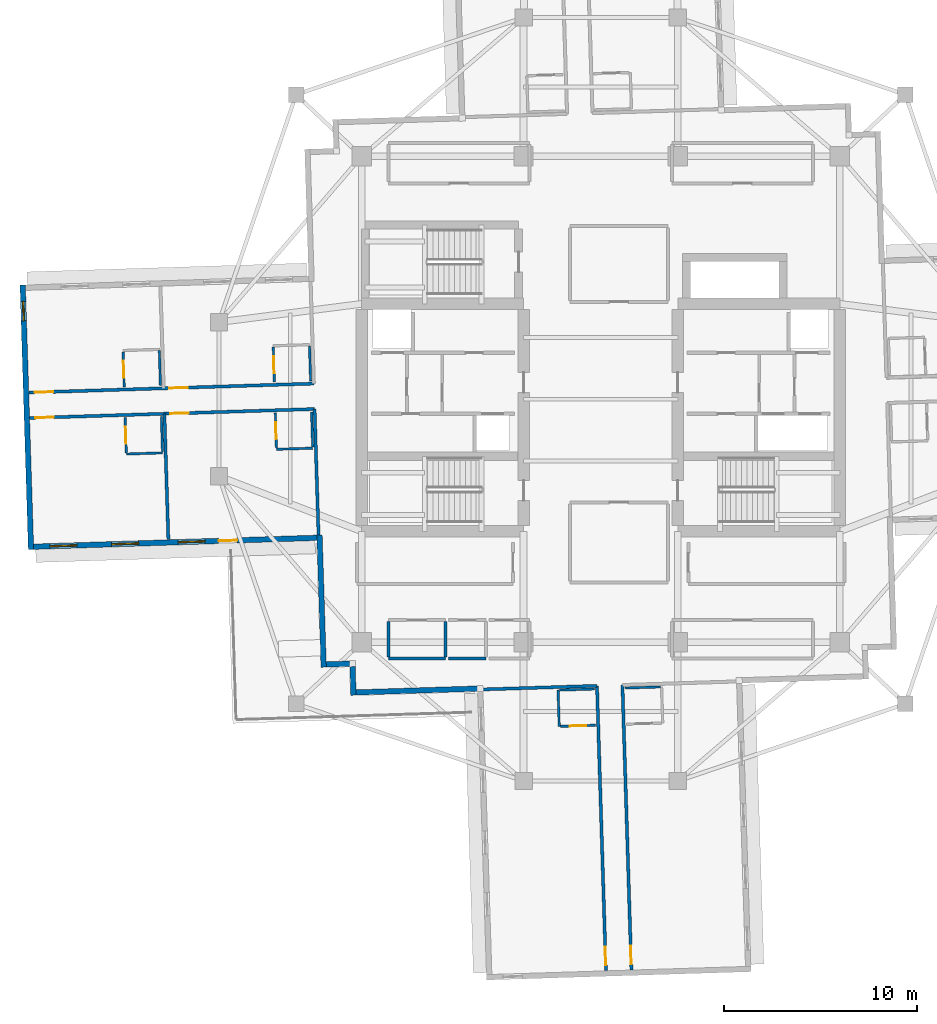
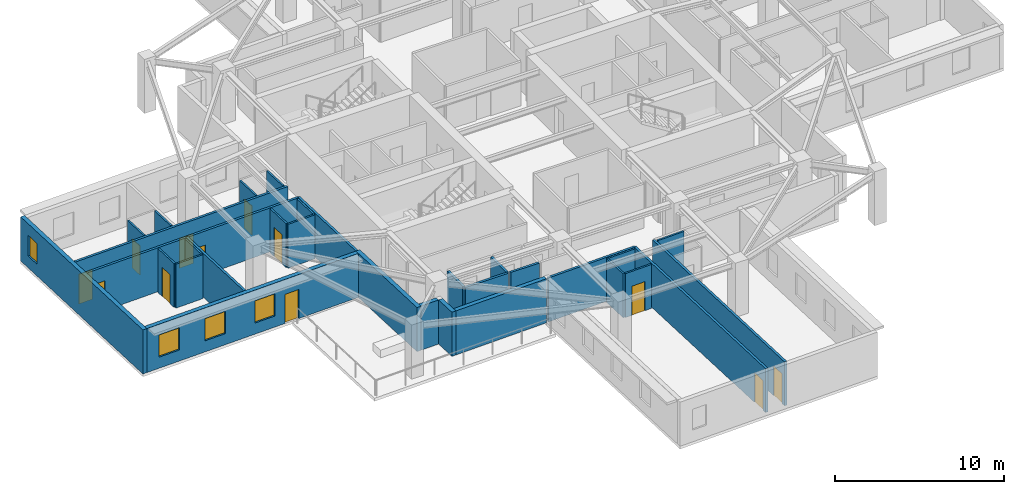
# One storey, part 3 of 12: 31 walls, 12 doors, 4 windows, 16 openings.
"""IFC4 building model written with IfcOpenShell, lengths in metres."""

from ifc_helpers import new_model, si_unit, direction, frame, frame_2d, origin, place, context, subcontext, project, spatial, rectangle, extrude, material, layer, layer_set, type_object, element, fill, save


model = new_model("IFC4")

# Units and contexts
model_context = context("Model", 3, precision=1e-05, world=origin(), true_north=direction((0.0, 1.0)))
body_context = subcontext(model_context, "Body", "Model", "MODEL_VIEW")
ifc_project = project(units=[si_unit("LENGTHUNIT", "METRE"), si_unit("AREAUNIT", "SQUARE_METRE"), si_unit("VOLUMEUNIT", "CUBIC_METRE"), si_unit("PLANEANGLEUNIT", "RADIAN"), si_unit("MASSUNIT", "GRAM", prefix="KILO")], contexts=[model_context])

# Site, building, storey
site_placement = place(None, origin())
site = spatial("IfcSite", under=ifc_project, at=site_placement, CompositionType="ELEMENT")
building_placement = place(site_placement, origin())
building = spatial("IfcBuilding", under=site, at=building_placement, Name="Qingluan Cross Belvedere", CompositionType="ELEMENT")
storey_placement = place(building_placement, frame((0.0, 0.0, 216.89990234375)))
storey = spatial("IfcBuildingStorey", under=building, at=storey_placement, Name="L54", CompositionType="ELEMENT", Elevation=216.89990234375)

# Walls
ifc_material_1 = material(Name="Gypsum plasterboard on steel stud acoustic partition", Category="steel")
ifc_layer_1 = layer(ifc_material_1, 0.159912109375, Name="CorridorPartition_160")
ifc_layer_set_1 = layer_set([ifc_layer_1], Name="Gypsum plasterboard on steel stud acoustic partition")
wall_type_1 = type_object("IfcWallType", Name="CorridorPartition_160", PredefinedType="PARTITIONING", material=ifc_layer_set_1)
wall_1_placement = place(storey_placement, frame((-11.0, -13.449951171875, 0.0), z_axis=(0.0, 0.0, 1.0), x_axis=(1.0, 0.0, 0.0)))
element("IfcWall", 1, at=wall_1_placement, inside=storey, type_object=wall_type_1, Name="Partition L54:q_sw_occ:S", PredefinedType="PARTITIONING", context=body_context, shape_type="SweptSolid", body=[
    extrude(rectangle(XDim=2.949951171875, YDim=0.159912109375, at=frame_2d((1.47509765625, 0.0))), origin(), (0.0, 0.0, 1.0), 3.170166015625),
])
for number, where, z_axis, x_axis, name in (
    (2, (-11.0, -13.364990234375, 0.0), (0.0, 0.0, 1.0), (0.0, 1.0, 0.0), "Partition L54:q_sw_occ:W"),
    (3, (-8.050048828125, -13.364990234375, 0.0), (0.0, 0.0, 1.0), (0.0, 1.0, 0.0), "Partition L54:q_sw_occ:E"),
):
    element("IfcWall", number, at=place(storey_placement, frame(where, z_axis=z_axis, x_axis=x_axis)), inside=storey, type_object=wall_type_1, Name=name, PredefinedType="PARTITIONING", context=body_context, shape_type="SweptSolid", body=[
        extrude(rectangle(XDim=1.830078125, YDim=0.159912109375, at=frame_2d((0.9150390625, 0.0))), origin(), (0.0, 0.0, 1.0), 3.170166015625),
    ])
wall_2_placement = place(storey_placement, frame((-7.889892578125, -13.449951171875, 0.0), z_axis=(0.0, 0.0, 1.0), x_axis=(1.0, 0.0, 0.0)))
element("IfcWall", 4, at=wall_2_placement, inside=storey, type_object=wall_type_1, Name="Partition L54:hk_linen:S", PredefinedType="PARTITIONING", context=body_context, shape_type="SweptSolid", body=[
    extrude(rectangle(XDim=1.93994140625, YDim=0.159912109375, at=frame_2d((0.969970703125, 0.0))), origin(), (0.0, 0.0, 1.0), 3.170166015625),
])

# Wall, openings, doors
wall_3_placement = place(storey_placement, frame((-14.8828125, 0.81298828125, 0.0), z_axis=(0.0, 0.0, 1.0), x_axis=(-0.999506485057, -0.031413155335, 0.0)))
wall_3 = element("IfcWall", 5, at=wall_3_placement, inside=storey, type_object=wall_type_1, Name="Partition L54:W:c0", PredefinedType="PARTITIONING", context=body_context, shape_type="SweptSolid", body=[
    extrude(rectangle(XDim=14.7822265625, YDim=0.159912109375, at=frame_2d((7.39111328125, 0.0))), origin(), (0.0, 0.0, 1.0), 3.170166015625),
])
opening_1_placement = place(wall_3_placement, frame((6.532958984375, 0.0, 0.0)))
opening_1 = element("IfcOpeningElement", 6, at=opening_1_placement, cuts=wall_3, Name="Opening GD-10", PredefinedType="OPENING", context=body_context, shape_type="SweptSolid", body=[
    extrude(rectangle(XDim=0.9599609375, YDim=2.14990234375, at=frame_2d((0.47998046875, 1.074951171875))), frame((0.0, 0.08984375, 0.0), z_axis=(0.0, -1.0, 0.0), x_axis=(1.0, 0.0, 0.0)), (0.0, 0.0, 1.0), 0.179931640625),
])
opening_2_placement = place(wall_3_placement, frame((13.530029296875, 0.0, 0.0)))
opening_2 = element("IfcOpeningElement", 7, at=opening_2_placement, cuts=wall_3, Name="Opening GD-10", PredefinedType="OPENING", context=body_context, shape_type="SweptSolid", body=[
    extrude(rectangle(XDim=0.9599609375, YDim=2.14990234375, at=frame_2d((0.47998046875, 1.074951171875))), frame((0.0, 0.08984375, 0.0), z_axis=(0.0, -1.0, 0.0), x_axis=(1.0, 0.0, 0.0)), (0.0, 0.0, 1.0), 0.179931640625),
])
ifc_material_2 = material(Name="Timber oak fire-rated acoustic guestroom door", Category="wood")
door_type_1 = type_object("IfcDoorType", Name="GuestEntryDoor_FD60", OperationType="NOTDEFINED", PredefinedType="DOOR", material=ifc_material_2)
door_1_placement = place(opening_1_placement, origin())
door_1 = element("IfcDoor", 8, at=door_1_placement, inside=storey, type_object=door_type_1, Name="Guest entry fire door 5405", OperationType="SINGLE_SWING_RIGHT", OverallHeight=2.14990234375, OverallWidth=0.9599609375, PredefinedType="DOOR", context=body_context, shape_type="SweptSolid", body=[
    extrude(rectangle(XDim=0.9599609375, YDim=2.14990234375, at=frame_2d((0.47998046875, 1.074951171875))), frame((0.0, 0.02490234375, 0.0), z_axis=(0.0, -1.0, 0.0), x_axis=(1.0, 0.0, 0.0)), (0.0, 0.0, 1.0), 0.050048828125),
])
fill(opening_1, door_1)
door_2_placement = place(opening_2_placement, origin())
door_2 = element("IfcDoor", 9, at=door_2_placement, inside=storey, type_object=door_type_1, Name="Guest entry fire door 5406", OperationType="SINGLE_SWING_RIGHT", OverallHeight=2.14990234375, OverallWidth=0.9599609375, PredefinedType="DOOR", context=body_context, shape_type="SweptSolid", body=[
    extrude(rectangle(XDim=0.9599609375, YDim=2.14990234375, at=frame_2d((0.47998046875, 1.074951171875))), frame((0.0, 0.02490234375, 0.0), z_axis=(0.0, -1.0, 0.0), x_axis=(1.0, 0.0, 0.0)), (0.0, 0.0, 1.0), 0.050048828125),
])
fill(opening_2, door_2)

wall_4_placement = place(storey_placement, frame((-14.84130859375, -0.50634765625, 0.0), z_axis=(0.0, 0.0, 1.0), x_axis=(-0.999506485057, -0.031413155335, 0.0)))
wall_4 = element("IfcWall", 10, at=wall_4_placement, inside=storey, type_object=wall_type_1, Name="Partition L54:W:c1", PredefinedType="PARTITIONING", context=body_context, shape_type="SweptSolid", body=[
    extrude(rectangle(XDim=14.7822265625, YDim=0.159912109375, at=frame_2d((7.39111328125, 0.0))), origin(), (0.0, 0.0, 1.0), 3.170166015625),
])
opening_3_placement = place(wall_4_placement, frame((6.532958984375, 0.0, 0.0)))
opening_3 = element("IfcOpeningElement", 11, at=opening_3_placement, cuts=wall_4, Name="Opening GD-10", PredefinedType="OPENING", context=body_context, shape_type="SweptSolid", body=[
    extrude(rectangle(XDim=0.9599609375, YDim=2.14990234375, at=frame_2d((0.47998046875, 1.074951171875))), frame((0.0, 0.08984375, 0.0), z_axis=(0.0, -1.0, 0.0), x_axis=(1.0, 0.0, 0.0)), (0.0, 0.0, 1.0), 0.179931640625),
])
opening_4_placement = place(wall_4_placement, frame((13.530029296875, 0.0, 0.0)))
opening_4 = element("IfcOpeningElement", 12, at=opening_4_placement, cuts=wall_4, Name="Opening GD-10", PredefinedType="OPENING", context=body_context, shape_type="SweptSolid", body=[
    extrude(rectangle(XDim=0.9599609375, YDim=2.14990234375, at=frame_2d((0.47998046875, 1.074951171875))), frame((0.0, 0.08984375, 0.0), z_axis=(0.0, -1.0, 0.0), x_axis=(1.0, 0.0, 0.0)), (0.0, 0.0, 1.0), 0.179931640625),
])
door_3_placement = place(opening_3_placement, origin())
door_3 = element("IfcDoor", 13, at=door_3_placement, inside=storey, type_object=door_type_1, Name="Guest entry fire door 5407", OperationType="SINGLE_SWING_RIGHT", OverallHeight=2.14990234375, OverallWidth=0.9599609375, PredefinedType="DOOR", context=body_context, shape_type="SweptSolid", body=[
    extrude(rectangle(XDim=0.9599609375, YDim=2.14990234375, at=frame_2d((0.47998046875, 1.074951171875))), frame((0.0, 0.02490234375, 0.0), z_axis=(0.0, -1.0, 0.0), x_axis=(1.0, 0.0, 0.0)), (0.0, 0.0, 1.0), 0.050048828125),
])
fill(opening_3, door_3)
door_4_placement = place(opening_4_placement, origin())
door_4 = element("IfcDoor", 14, at=door_4_placement, inside=storey, type_object=door_type_1, Name="Guest entry fire door 5408", OperationType="SINGLE_SWING_RIGHT", OverallHeight=2.14990234375, OverallWidth=0.9599609375, PredefinedType="DOOR", context=body_context, shape_type="SweptSolid", body=[
    extrude(rectangle(XDim=0.9599609375, YDim=2.14990234375, at=frame_2d((0.47998046875, 1.074951171875))), frame((0.0, 0.02490234375, 0.0), z_axis=(0.0, -1.0, 0.0), x_axis=(1.0, 0.0, 0.0)), (0.0, 0.0, 1.0), 0.050048828125),
])
fill(opening_4, door_4)

# Walls
for number, where, z_axis, x_axis, name in (
    (15, (-14.84130859375, -0.50634765625, 0.0), (0.0, 0.0, 1.0), (0.031395778404, -0.99950703104, 0.0), "Partition L54:W:s1"),
    (16, (-22.630615234375, -0.751220703125, 0.0), (0.0, 0.0, 1.0), (0.031433117423, -0.999505857476, 0.0), "Partition L54:W:d1_0"),
):
    element("IfcWall", number, at=place(storey_placement, frame(where, z_axis=z_axis, x_axis=x_axis)), inside=storey, type_object=wall_type_1, Name=name, PredefinedType="PARTITIONING", context=body_context, shape_type="SweptSolid", body=[
        extrude(rectangle(XDim=6.531982421875, YDim=0.159912109375, at=frame_2d((3.26611328125, 0.0))), origin(), (0.0, 0.0, 1.0), 3.170166015625),
    ])

# Wall, opening, door
wall_5_placement = place(storey_placement, frame((1.126220703125, -14.822021484375, 0.0), z_axis=(0.0, 0.0, 1.0), x_axis=(0.031397174061, -0.9995069872, 0.0)))
wall_5 = element("IfcWall", 17, at=wall_5_placement, inside=storey, type_object=wall_type_1, Name="Partition L54:S:c0", PredefinedType="PARTITIONING", context=body_context, shape_type="SweptSolid", body=[
    extrude(rectangle(XDim=14.781982421875, YDim=0.159912109375, at=frame_2d((7.39111328125, 0.0))), origin(), (0.0, 0.0, 1.0), 3.170166015625),
])
opening_5_placement = place(wall_5_placement, frame((13.530029296875, 0.0, 0.0)))
opening_5 = element("IfcOpeningElement", 18, at=opening_5_placement, cuts=wall_5, Name="Opening GD-10", PredefinedType="OPENING", context=body_context, shape_type="SweptSolid", body=[
    extrude(rectangle(XDim=0.9599609375, YDim=2.14990234375, at=frame_2d((0.47998046875, 1.074951171875))), frame((0.0, 0.08984375, 0.0), z_axis=(0.0, -1.0, 0.0), x_axis=(1.0, 0.0, 0.0)), (0.0, 0.0, 1.0), 0.179931640625),
])
door_5_placement = place(opening_5_placement, origin())
door_5 = element("IfcDoor", 19, at=door_5_placement, inside=storey, type_object=door_type_1, Name="Guest entry fire door 5413", OperationType="SINGLE_SWING_RIGHT", OverallHeight=2.14990234375, OverallWidth=0.9599609375, PredefinedType="DOOR", context=body_context, shape_type="SweptSolid", body=[
    extrude(rectangle(XDim=0.9599609375, YDim=2.14990234375, at=frame_2d((0.47998046875, 1.074951171875))), frame((0.0, 0.02490234375, 0.0), z_axis=(0.0, -1.0, 0.0), x_axis=(1.0, 0.0, 0.0)), (0.0, 0.0, 1.0), 0.050048828125),
])
fill(opening_5, door_5)

wall_6_placement = place(storey_placement, frame((-0.193115234375, -14.86328125, 0.0), z_axis=(0.0, 0.0, 1.0), x_axis=(0.031396655766, -0.999507003481, 0.0)))
wall_6 = element("IfcWall", 20, at=wall_6_placement, inside=storey, type_object=wall_type_1, Name="Partition L54:S:c1", PredefinedType="PARTITIONING", context=body_context, shape_type="SweptSolid", body=[
    extrude(rectangle(XDim=14.7822265625, YDim=0.159912109375, at=frame_2d((7.39111328125, 0.0))), origin(), (0.0, 0.0, 1.0), 3.170166015625),
])
opening_6_placement = place(wall_6_placement, frame((13.530029296875, 0.0, 0.0)))
opening_6 = element("IfcOpeningElement", 21, at=opening_6_placement, cuts=wall_6, Name="Opening GD-10", PredefinedType="OPENING", context=body_context, shape_type="SweptSolid", body=[
    extrude(rectangle(XDim=0.9599609375, YDim=2.14990234375, at=frame_2d((0.47998046875, 1.074951171875))), frame((0.0, 0.08984375, 0.0), z_axis=(0.0, -1.0, 0.0), x_axis=(1.0, 0.0, 0.0)), (0.0, 0.0, 1.0), 0.179931640625),
])
door_6_placement = place(opening_6_placement, origin())
door_6 = element("IfcDoor", 22, at=door_6_placement, inside=storey, type_object=door_type_1, Name="Guest entry fire door 5414", OperationType="SINGLE_SWING_RIGHT", OverallHeight=2.14990234375, OverallWidth=0.9599609375, PredefinedType="DOOR", context=body_context, shape_type="SweptSolid", body=[
    extrude(rectangle(XDim=0.9599609375, YDim=2.14990234375, at=frame_2d((0.47998046875, 1.074951171875))), frame((0.0, 0.02490234375, 0.0), z_axis=(0.0, -1.0, 0.0), x_axis=(1.0, 0.0, 0.0)), (0.0, 0.0, 1.0), 0.050048828125),
])
fill(opening_6, door_6)

# Wall
wall_7_placement = place(storey_placement, frame((-0.193115234375, -14.86328125, 0.0), z_axis=(0.0, 0.0, 1.0), x_axis=(-0.999506162708, -0.031423410194, 0.0)))
element("IfcWall", 23, at=wall_7_placement, inside=storey, type_object=wall_type_1, Name="Partition L54:S:s1", PredefinedType="PARTITIONING", context=body_context, shape_type="SweptSolid", body=[
    extrude(rectangle(XDim=6.06005859375, YDim=0.159912109375, at=frame_2d((3.030029296875, 0.0))), origin(), (0.0, 0.0, 1.0), 3.170166015625),
])

# Wall, opening, door
ifc_material_3 = material(Name="Moisture-resistant gypsum board lining")
ifc_layer_2 = layer(ifc_material_3, 0.1201171875, Name="EnsuiteWetPartition_120")
ifc_layer_set_2 = layer_set([ifc_layer_2], Name="Moisture-resistant gypsum board lining")
wall_type_2 = type_object("IfcWallType", Name="EnsuiteWetPartition_120", PredefinedType="PARTITIONING", material=ifc_layer_set_2)
wall_8_placement = place(storey_placement, frame((-16.92626953125, 0.888916015625, 0.0), z_axis=(0.0, 0.0, 1.0), x_axis=(-0.031389704724, 0.999507221803, 0.0)))
wall_8 = element("IfcWall", 24, at=wall_8_placement, inside=storey, type_object=wall_type_2, Name="Partition L54:W:bs0_0", PredefinedType="PARTITIONING", context=body_context, shape_type="SweptSolid", body=[
    extrude(rectangle(XDim=1.820068359375, YDim=0.1201171875, at=frame_2d((0.91015625, 0.0))), origin(), (0.0, 0.0, 1.0), 3.170166015625),
])
opening_7_placement = place(wall_8_placement, frame((0.469970703125, 0.0, 0.0)))
opening_7 = element("IfcOpeningElement", 25, at=opening_7_placement, cuts=wall_8, Name="Opening BD-09", PredefinedType="OPENING", context=body_context, shape_type="SweptSolid", body=[
    extrude(rectangle(XDim=0.8798828125, YDim=2.10009765625, at=frame_2d((0.43994140625, 1.050048828125))), frame((0.0, 0.070068359375, 0.0), z_axis=(0.0, -1.0, 0.0), x_axis=(1.0, 0.0, 0.0)), (0.0, 0.0, 1.0), 0.14013671875),
])
ifc_material_4 = material(Name="Moisture-sealed timber en-suite door", Category="wood")
door_type_2 = type_object("IfcDoorType", Name="BathroomDoor_880", OperationType="NOTDEFINED", PredefinedType="DOOR", material=ifc_material_4)
door_7_placement = place(opening_7_placement, origin())
door_7 = element("IfcDoor", 26, at=door_7_placement, inside=storey, type_object=door_type_2, Name="Bathroom door 5405", OperationType="SINGLE_SWING_LEFT", OverallHeight=2.10009765625, OverallWidth=0.8798828125, PredefinedType="DOOR", context=body_context, shape_type="SweptSolid", body=[
    extrude(rectangle(XDim=0.8798828125, YDim=2.10009765625, at=frame_2d((0.43994140625, 1.050048828125))), frame((0.0, 0.02490234375, 0.0), z_axis=(0.0, -1.0, 0.0), x_axis=(1.0, 0.0, 0.0)), (0.0, 0.0, 1.0), 0.050048828125),
])
fill(opening_7, door_7)

# Wall
wall_9_placement = place(storey_placement, frame((-15.047119140625, 0.94775390625, 0.0), z_axis=(0.0, 0.0, 1.0), x_axis=(-0.03152371574, 0.999503004171, 0.0)))
element("IfcWall", 27, at=wall_9_placement, inside=storey, type_object=wall_type_2, Name="Partition L54:W:bw0_0", PredefinedType="PARTITIONING", context=body_context, shape_type="SweptSolid", body=[
    extrude(rectangle(XDim=1.820068359375, YDim=0.1201171875, at=frame_2d((0.91015625, 0.0))), origin(), (0.0, 0.0, 1.0), 3.170166015625),
])

# Wall, opening, door
wall_10_placement = place(storey_placement, frame((-24.71533203125, 0.64404296875, 0.0), z_axis=(0.0, 0.0, 1.0), x_axis=(-0.03152371574, 0.999503004171, 0.0)))
wall_10 = element("IfcWall", 28, at=wall_10_placement, inside=storey, type_object=wall_type_2, Name="Partition L54:W:bs0_1", PredefinedType="PARTITIONING", context=body_context, shape_type="SweptSolid", body=[
    extrude(rectangle(XDim=1.820068359375, YDim=0.1201171875, at=frame_2d((0.91015625, 0.0))), origin(), (0.0, 0.0, 1.0), 3.170166015625),
])
opening_8_placement = place(wall_10_placement, frame((0.469970703125, 0.0, 0.0)))
opening_8 = element("IfcOpeningElement", 29, at=opening_8_placement, cuts=wall_10, Name="Opening BD-09", PredefinedType="OPENING", context=body_context, shape_type="SweptSolid", body=[
    extrude(rectangle(XDim=0.8798828125, YDim=2.10009765625, at=frame_2d((0.43994140625, 1.050048828125))), frame((0.0, 0.070068359375, 0.0), z_axis=(0.0, -1.0, 0.0), x_axis=(1.0, 0.0, 0.0)), (0.0, 0.0, 1.0), 0.14013671875),
])
door_8_placement = place(opening_8_placement, origin())
door_8 = element("IfcDoor", 30, at=door_8_placement, inside=storey, type_object=door_type_2, Name="Bathroom door 5406", OperationType="SINGLE_SWING_LEFT", OverallHeight=2.10009765625, OverallWidth=0.8798828125, PredefinedType="DOOR", context=body_context, shape_type="SweptSolid", body=[
    extrude(rectangle(XDim=0.8798828125, YDim=2.10009765625, at=frame_2d((0.43994140625, 1.050048828125))), frame((0.0, 0.02490234375, 0.0), z_axis=(0.0, -1.0, 0.0), x_axis=(1.0, 0.0, 0.0)), (0.0, 0.0, 1.0), 0.050048828125),
])
fill(opening_8, door_8)

# Wall
wall_11_placement = place(storey_placement, frame((-22.83642578125, 0.702880859375, 0.0), z_axis=(0.0, 0.0, 1.0), x_axis=(-0.031385496622, 0.999507353951, 0.0)))
element("IfcWall", 31, at=wall_11_placement, inside=storey, type_object=wall_type_2, Name="Partition L54:W:bw0_1", PredefinedType="PARTITIONING", context=body_context, shape_type="SweptSolid", body=[
    extrude(rectangle(XDim=1.8203125, YDim=0.1201171875, at=frame_2d((0.91015625, 0.0))), origin(), (0.0, 0.0, 1.0), 3.170166015625),
])

# Wall, opening, door
wall_12_placement = place(storey_placement, frame((-16.81884765625, -2.529541015625, 0.0), z_axis=(0.0, 0.0, 1.0), x_axis=(-0.031389704724, 0.999507221803, 0.0)))
wall_12 = element("IfcWall", 32, at=wall_12_placement, inside=storey, type_object=wall_type_2, Name="Partition L54:W:bs1_0", PredefinedType="PARTITIONING", context=body_context, shape_type="SweptSolid", body=[
    extrude(rectangle(XDim=1.820068359375, YDim=0.1201171875, at=frame_2d((0.91015625, 0.0))), origin(), (0.0, 0.0, 1.0), 3.170166015625),
])
opening_9_placement = place(wall_12_placement, frame((0.469970703125, 0.0, 0.0)))
opening_9 = element("IfcOpeningElement", 33, at=opening_9_placement, cuts=wall_12, Name="Opening BD-09", PredefinedType="OPENING", context=body_context, shape_type="SweptSolid", body=[
    extrude(rectangle(XDim=0.8798828125, YDim=2.10009765625, at=frame_2d((0.43994140625, 1.050048828125))), frame((0.0, 0.070068359375, 0.0), z_axis=(0.0, -1.0, 0.0), x_axis=(1.0, 0.0, 0.0)), (0.0, 0.0, 1.0), 0.14013671875),
])
door_9_placement = place(opening_9_placement, origin())
door_9 = element("IfcDoor", 34, at=door_9_placement, inside=storey, type_object=door_type_2, Name="Bathroom door 5407", OperationType="SINGLE_SWING_LEFT", OverallHeight=2.10009765625, OverallWidth=0.8798828125, PredefinedType="DOOR", context=body_context, shape_type="SweptSolid", body=[
    extrude(rectangle(XDim=0.8798828125, YDim=2.10009765625, at=frame_2d((0.43994140625, 1.050048828125))), frame((0.0, 0.02490234375, 0.0), z_axis=(0.0, -1.0, 0.0), x_axis=(1.0, 0.0, 0.0)), (0.0, 0.0, 1.0), 0.050048828125),
])
fill(opening_9, door_9)

# Walls
wall_13_placement = place(storey_placement, frame((-14.939697265625, -2.470458984375, 0.0), z_axis=(0.0, 0.0, 1.0), x_axis=(-0.031389704724, 0.999507221803, 0.0)))
element("IfcWall", 35, at=wall_13_placement, inside=storey, type_object=wall_type_2, Name="Partition L54:W:bw1_0", PredefinedType="PARTITIONING", context=body_context, shape_type="SweptSolid", body=[
    extrude(rectangle(XDim=1.820068359375, YDim=0.1201171875, at=frame_2d((0.91015625, 0.0))), origin(), (0.0, 0.0, 1.0), 3.170166015625),
])
wall_14_placement = place(storey_placement, frame((-14.937744140625, -2.535400390625, 0.0), z_axis=(0.0, 0.0, 1.0), x_axis=(-0.999506103526, -0.031425292588, 0.0)))
element("IfcWall", 36, at=wall_14_placement, inside=storey, type_object=wall_type_2, Name="Partition L54:W:bc1_0", PredefinedType="PARTITIONING", context=body_context, shape_type="SweptSolid", body=[
    extrude(rectangle(XDim=1.880126953125, YDim=0.1201171875, at=frame_2d((0.93994140625, 0.0))), origin(), (0.0, 0.0, 1.0), 3.170166015625),
])

# Wall, opening, door
wall_15_placement = place(storey_placement, frame((-24.60791015625, -2.7744140625, 0.0), z_axis=(0.0, 0.0, 1.0), x_axis=(-0.031519489708, 0.999503137448, 0.0)))
wall_15 = element("IfcWall", 37, at=wall_15_placement, inside=storey, type_object=wall_type_2, Name="Partition L54:W:bs1_1", PredefinedType="PARTITIONING", context=body_context, shape_type="SweptSolid", body=[
    extrude(rectangle(XDim=1.8203125, YDim=0.1201171875, at=frame_2d((0.91015625, 0.0))), origin(), (0.0, 0.0, 1.0), 3.170166015625),
])
opening_10_placement = place(wall_15_placement, frame((0.469970703125, 0.0, 0.0)))
opening_10 = element("IfcOpeningElement", 38, at=opening_10_placement, cuts=wall_15, Name="Opening BD-09", PredefinedType="OPENING", context=body_context, shape_type="SweptSolid", body=[
    extrude(rectangle(XDim=0.8798828125, YDim=2.10009765625, at=frame_2d((0.43994140625, 1.050048828125))), frame((0.0, 0.070068359375, 0.0), z_axis=(0.0, -1.0, 0.0), x_axis=(1.0, 0.0, 0.0)), (0.0, 0.0, 1.0), 0.14013671875),
])
door_10_placement = place(opening_10_placement, origin())
door_10 = element("IfcDoor", 39, at=door_10_placement, inside=storey, type_object=door_type_2, Name="Bathroom door 5408", OperationType="SINGLE_SWING_LEFT", OverallHeight=2.10009765625, OverallWidth=0.8798828125, PredefinedType="DOOR", context=body_context, shape_type="SweptSolid", body=[
    extrude(rectangle(XDim=0.8798828125, YDim=2.10009765625, at=frame_2d((0.43994140625, 1.050048828125))), frame((0.0, 0.02490234375, 0.0), z_axis=(0.0, -1.0, 0.0), x_axis=(1.0, 0.0, 0.0)), (0.0, 0.0, 1.0), 0.050048828125),
])
fill(opening_10, door_10)

# Walls
wall_16_placement = place(storey_placement, frame((-22.72900390625, -2.71533203125, 0.0), z_axis=(0.0, 0.0, 1.0), x_axis=(-0.031389704724, 0.999507221803, 0.0)))
element("IfcWall", 40, at=wall_16_placement, inside=storey, type_object=wall_type_2, Name="Partition L54:W:bw1_1", PredefinedType="PARTITIONING", context=body_context, shape_type="SweptSolid", body=[
    extrude(rectangle(XDim=1.820068359375, YDim=0.1201171875, at=frame_2d((0.91015625, 0.0))), origin(), (0.0, 0.0, 1.0), 3.170166015625),
])
wall_17_placement = place(storey_placement, frame((-22.726806640625, -2.7802734375, 0.0), z_axis=(0.0, 0.0, 1.0), x_axis=(-0.999506103526, -0.031425292588, 0.0)))
element("IfcWall", 41, at=wall_17_placement, inside=storey, type_object=wall_type_2, Name="Partition L54:W:bc1_1", PredefinedType="PARTITIONING", context=body_context, shape_type="SweptSolid", body=[
    extrude(rectangle(XDim=1.880126953125, YDim=0.1201171875, at=frame_2d((0.93994140625, 0.0))), origin(), (0.0, 0.0, 1.0), 3.170166015625),
])
wall_18_placement = place(storey_placement, frame((1.27099609375, -14.9775390625, 0.0), z_axis=(0.0, 0.0, 1.0), x_axis=(0.999507221803, 0.031389704724, 0.0)))
element("IfcWall", 42, at=wall_18_placement, inside=storey, type_object=wall_type_2, Name="Partition L54:S:bw0_0", PredefinedType="PARTITIONING", context=body_context, shape_type="SweptSolid", body=[
    extrude(rectangle(XDim=1.820068359375, YDim=0.1201171875, at=frame_2d((0.91015625, 0.0))), origin(), (0.0, 0.0, 1.0), 3.170166015625),
])

# Wall, opening, door
wall_19_placement = place(storey_placement, frame((-2.088134765625, -16.964111328125, 0.0), z_axis=(0.0, 0.0, 1.0), x_axis=(0.999503004171, 0.03152371574, 0.0)))
wall_19 = element("IfcWall", 43, at=wall_19_placement, inside=storey, type_object=wall_type_2, Name="Partition L54:S:bs1_0", PredefinedType="PARTITIONING", context=body_context, shape_type="SweptSolid", body=[
    extrude(rectangle(XDim=1.820068359375, YDim=0.1201171875, at=frame_2d((0.91015625, 0.0))), origin(), (0.0, 0.0, 1.0), 3.170166015625),
])
opening_11_placement = place(wall_19_placement, frame((0.469970703125, 0.0, 0.0)))
opening_11 = element("IfcOpeningElement", 44, at=opening_11_placement, cuts=wall_19, Name="Opening BD-09", PredefinedType="OPENING", context=body_context, shape_type="SweptSolid", body=[
    extrude(rectangle(XDim=0.8798828125, YDim=2.10009765625, at=frame_2d((0.43994140625, 1.050048828125))), frame((0.0, 0.070068359375, 0.0), z_axis=(0.0, -1.0, 0.0), x_axis=(1.0, 0.0, 0.0)), (0.0, 0.0, 1.0), 0.14013671875),
])
door_11_placement = place(opening_11_placement, origin())
door_11 = element("IfcDoor", 45, at=door_11_placement, inside=storey, type_object=door_type_2, Name="Bathroom door 5414", OperationType="SINGLE_SWING_LEFT", OverallHeight=2.10009765625, OverallWidth=0.8798828125, PredefinedType="DOOR", context=body_context, shape_type="SweptSolid", body=[
    extrude(rectangle(XDim=0.8798828125, YDim=2.10009765625, at=frame_2d((0.43994140625, 1.050048828125))), frame((0.0, 0.02490234375, 0.0), z_axis=(0.0, -1.0, 0.0), x_axis=(1.0, 0.0, 0.0)), (0.0, 0.0, 1.0), 0.050048828125),
])
fill(opening_11, door_11)

# Walls
wall_20_placement = place(storey_placement, frame((-2.147216796875, -15.0849609375, 0.0), z_axis=(0.0, 0.0, 1.0), x_axis=(0.999503004171, 0.03152371574, 0.0)))
element("IfcWall", 46, at=wall_20_placement, inside=storey, type_object=wall_type_2, Name="Partition L54:S:bw1_0", PredefinedType="PARTITIONING", context=body_context, shape_type="SweptSolid", body=[
    extrude(rectangle(XDim=1.820068359375, YDim=0.1201171875, at=frame_2d((0.91015625, 0.0))), origin(), (0.0, 0.0, 1.0), 3.170166015625),
])
wall_21_placement = place(storey_placement, frame((-2.212158203125, -15.0869140625, 0.0), z_axis=(0.0, 0.0, 1.0), x_axis=(0.031425292588, -0.999506103526, 0.0)))
element("IfcWall", 47, at=wall_21_placement, inside=storey, type_object=wall_type_2, Name="Partition L54:S:bc1_0", PredefinedType="PARTITIONING", context=body_context, shape_type="SweptSolid", body=[
    extrude(rectangle(XDim=1.880126953125, YDim=0.1201171875, at=frame_2d((0.93994140625, 0.0))), origin(), (0.0, 0.0, 1.0), 3.170166015625),
])

# Wall, openings, windows, door
ifc_material_5 = material(Name="Precast concrete C45", Category="concrete")
ifc_layer_3 = layer(ifc_material_5, 0.280029296875, Name="PrecastFacadeWall_280")
ifc_layer_set_3 = layer_set([ifc_layer_3], Name="Precast concrete C45")
wall_type_3 = type_object("IfcWallType", Name="PrecastFacadeWall_280", PredefinedType="STANDARD", material=ifc_layer_set_3)
wall_22_placement = place(storey_placement, frame((-29.414306640625, -7.647705078125, 0.0), z_axis=(0.0, 0.0, 1.0), x_axis=(0.999506714454, 0.031405855522, 0.0)))
wall_22 = element("IfcWall", 48, at=wall_22_placement, inside=storey, type_object=wall_type_3, Name="Facade wall L54-WB", PredefinedType="STANDARD", context=body_context, shape_type="SweptSolid", body=[
    extrude(rectangle(XDim=14.7001953125, YDim=0.280029296875, at=frame_2d((7.35009765625, 0.0))), origin(), (0.0, 0.0, 1.0), 3.18017578125),
])
opening_12_placement = place(wall_22_placement, frame((0.85009765625, 0.0, 0.800048828125)))
opening_12 = element("IfcOpeningElement", 49, at=opening_12_placement, cuts=wall_22, Name="Opening W-01", PredefinedType="OPENING", context=body_context, shape_type="SweptSolid", body=[
    extrude(rectangle(XDim=1.39990234375, YDim=1.60009765625, at=frame_2d((0.699951171875, 0.800048828125))), frame((0.0, 0.14990234375, 0.0), z_axis=(0.0, -1.0, 0.0), x_axis=(1.0, 0.0, 0.0)), (0.0, 0.0, 1.0), 0.300048828125),
])
opening_13_placement = place(wall_22_placement, frame((4.050048828125, 0.0, 0.800048828125)))
opening_13 = element("IfcOpeningElement", 50, at=opening_13_placement, cuts=wall_22, Name="Opening W-01", PredefinedType="OPENING", context=body_context, shape_type="SweptSolid", body=[
    extrude(rectangle(XDim=1.39990234375, YDim=1.60009765625, at=frame_2d((0.699951171875, 0.800048828125))), frame((0.0, 0.14990234375, 0.0), z_axis=(0.0, -1.0, 0.0), x_axis=(1.0, 0.0, 0.0)), (0.0, 0.0, 1.0), 0.300048828125),
])
opening_14_placement = place(wall_22_placement, frame((7.5, 0.0, 0.800048828125)))
opening_14 = element("IfcOpeningElement", 51, at=opening_14_placement, cuts=wall_22, Name="Opening W-01", PredefinedType="OPENING", context=body_context, shape_type="SweptSolid", body=[
    extrude(rectangle(XDim=1.39990234375, YDim=1.60009765625, at=frame_2d((0.699951171875, 0.800048828125))), frame((0.0, 0.14990234375, 0.0), z_axis=(0.0, -1.0, 0.0), x_axis=(1.0, 0.0, 0.0)), (0.0, 0.0, 1.0), 0.300048828125),
])
opening_15_placement = place(wall_22_placement, frame((9.60009765625, 0.0, 0.0)))
opening_15 = element("IfcOpeningElement", 52, at=opening_15_placement, cuts=wall_22, Name="Opening WD-10", PredefinedType="OPENING", context=body_context, shape_type="SweptSolid", body=[
    extrude(rectangle(XDim=0.9599609375, YDim=2.10009765625, at=frame_2d((0.47998046875, 1.050048828125))), frame((0.0, 0.14990234375, 0.0), z_axis=(0.0, -1.0, 0.0), x_axis=(1.0, 0.0, 0.0)), (0.0, 0.0, 1.0), 0.300048828125),
])
ifc_material_6 = material(Name="Thermally broken triple Low-E glass in aluminium frame", Category="aluminium")
window_type_1 = type_object("IfcWindowType", Name="TriRibbonWin_1400x1600", PartitioningType="SINGLE_PANEL", PredefinedType="WINDOW", material=ifc_material_6)
window_1_placement = place(opening_12_placement, origin())
window_1 = element("IfcWindow", 53, at=window_1_placement, inside=storey, type_object=window_type_1, Name="Ribbon window L54-WB-1", OverallHeight=1.60009765625, OverallWidth=1.39990234375, PartitioningType="SINGLE_PANEL", PredefinedType="WINDOW", context=body_context, shape_type="SweptSolid", body=[
    extrude(rectangle(XDim=1.39990234375, YDim=1.60009765625, at=frame_2d((0.699951171875, 0.800048828125))), frame((0.0, 0.030029296875, 0.0), z_axis=(0.0, -1.0, 0.0), x_axis=(1.0, 0.0, 0.0)), (0.0, 0.0, 1.0), 0.06005859375),
])
fill(opening_12, window_1)
window_2_placement = place(opening_13_placement, origin())
window_2 = element("IfcWindow", 54, at=window_2_placement, inside=storey, type_object=window_type_1, Name="Ribbon window L54-WB-2", OverallHeight=1.60009765625, OverallWidth=1.39990234375, PartitioningType="SINGLE_PANEL", PredefinedType="WINDOW", context=body_context, shape_type="SweptSolid", body=[
    extrude(rectangle(XDim=1.39990234375, YDim=1.60009765625, at=frame_2d((0.699951171875, 0.800048828125))), frame((0.0, 0.030029296875, 0.0), z_axis=(0.0, -1.0, 0.0), x_axis=(1.0, 0.0, 0.0)), (0.0, 0.0, 1.0), 0.06005859375),
])
fill(opening_13, window_2)
window_3_placement = place(opening_14_placement, origin())
window_3 = element("IfcWindow", 55, at=window_3_placement, inside=storey, type_object=window_type_1, Name="Ribbon window L54-WB-3", OverallHeight=1.60009765625, OverallWidth=1.39990234375, PartitioningType="SINGLE_PANEL", PredefinedType="WINDOW", context=body_context, shape_type="SweptSolid", body=[
    extrude(rectangle(XDim=1.39990234375, YDim=1.60009765625, at=frame_2d((0.699951171875, 0.800048828125))), frame((0.0, 0.030029296875, 0.0), z_axis=(0.0, -1.0, 0.0), x_axis=(1.0, 0.0, 0.0)), (0.0, 0.0, 1.0), 0.06005859375),
])
fill(opening_14, window_3)
ifc_material_7 = material(Name="Thermally broken aluminium and Low-E glass", Category="aluminium")
door_type_3 = type_object("IfcDoorType", Name="WinterGardenDoor_096", OperationType="NOTDEFINED", PredefinedType="DOOR", material=ifc_material_7)
door_12_placement = place(opening_15_placement, origin())
door_12 = element("IfcDoor", 56, at=door_12_placement, inside=storey, type_object=door_type_3, Name="Outdoor terrace access door L54-spi", OperationType="SINGLE_SWING_RIGHT", OverallHeight=2.10009765625, OverallWidth=0.9599609375, PredefinedType="DOOR", context=body_context, shape_type="SweptSolid", body=[
    extrude(rectangle(XDim=0.9599609375, YDim=2.10009765625, at=frame_2d((0.47998046875, 1.050048828125))), frame((0.0, 0.02490234375, 0.0), z_axis=(0.0, -1.0, 0.0), x_axis=(1.0, 0.0, 0.0)), (0.0, 0.0, 1.0), 0.050048828125),
])
fill(opening_15, door_12)

# Wall, opening, window
wall_23_placement = place(storey_placement, frame((-29.980712890625, 5.921142578125, 0.0), z_axis=(0.0, 0.0, 1.0), x_axis=(0.031407524763, -0.999506662003, 0.0)))
wall_23 = element("IfcWall", 57, at=wall_23_placement, inside=storey, type_object=wall_type_3, Name="Arm tip precast facade wall L54-W", PredefinedType="STANDARD", context=body_context, shape_type="SweptSolid", body=[
    extrude(rectangle(XDim=13.719970703125, YDim=0.280029296875, at=frame_2d((6.85986328125, 0.0))), origin(), (0.0, 0.0, 1.0), 3.18017578125),
])
opening_16_placement = place(wall_23_placement, frame((0.85009765625, 0.0, 0.85009765625)))
opening_16 = element("IfcOpeningElement", 58, at=opening_16_placement, cuts=wall_23, Name="Opening W-03", PredefinedType="OPENING", context=body_context, shape_type="SweptSolid", body=[
    extrude(rectangle(XDim=1.0, YDim=1.5, at=frame_2d((0.5, 0.75))), frame((0.0, 0.14990234375, 0.0), z_axis=(0.0, -1.0, 0.0), x_axis=(1.0, 0.0, 0.0)), (0.0, 0.0, 1.0), 0.300048828125),
])
ifc_material_8 = material(Name="Thermally broken triple Low-E glass in aluminium frame", Category="aluminium")
window_type_2 = type_object("IfcWindowType", Name="TriApexWin_1000x1500", PartitioningType="SINGLE_PANEL", PredefinedType="WINDOW", material=ifc_material_8)
window_4_placement = place(opening_16_placement, origin())
window_4 = element("IfcWindow", 59, at=window_4_placement, inside=storey, type_object=window_type_2, Name="Arm tip triangular window L54-W", OverallHeight=1.5, OverallWidth=1.0, PartitioningType="SINGLE_PANEL", PredefinedType="WINDOW", context=body_context, shape_type="SweptSolid", body=[
    extrude(rectangle(XDim=1.0, YDim=1.5, at=frame_2d((0.5, 0.75))), frame((0.0, 0.030029296875, 0.0), z_axis=(0.0, -1.0, 0.0), x_axis=(1.0, 0.0, 0.0)), (0.0, 0.0, 1.0), 0.06005859375),
])
fill(opening_16, window_4)

# Walls
wall_24_placement = place(storey_placement, frame((-14.5859375, -7.04150390625, 0.0), z_axis=(0.0, 0.0, 1.0), x_axis=(0.031389189386, -0.999507237988, 0.0)))
element("IfcWall", 60, at=wall_24_placement, inside=storey, type_object=wall_type_3, Name="Corner wall L54-SW1", PredefinedType="STANDARD", context=body_context, shape_type="SweptSolid", body=[
    extrude(rectangle(XDim=6.860107421875, YDim=0.280029296875, at=frame_2d((3.43017578125, 0.0))), origin(), (0.0, 0.0, 1.0), 3.18017578125),
])
wall_25_placement = place(storey_placement, frame((-14.235107421875, -13.75390625, 0.0), z_axis=(0.0, 0.0, 1.0), x_axis=(0.999506398264, 0.031415916822, 0.0)))
element("IfcWall", 61, at=wall_25_placement, inside=storey, type_object=wall_type_3, Name="Corner wall L54-SW2", PredefinedType="STANDARD", context=body_context, shape_type="SweptSolid", body=[
    extrude(rectangle(XDim=1.219970703125, YDim=0.280029296875, at=frame_2d((0.60986328125, 0.0))), origin(), (0.0, 0.0, 1.0), 3.18017578125),
])
wall_26_placement = place(storey_placement, frame((-12.871337890625, -13.85107421875, 0.0), z_axis=(0.0, 0.0, 1.0), x_axis=(0.031412596484, -0.999506502621, 0.0)))
element("IfcWall", 62, at=wall_26_placement, inside=storey, type_object=wall_type_3, Name="Corner wall L54-SW3", PredefinedType="STANDARD", context=body_context, shape_type="SweptSolid", body=[
    extrude(rectangle(XDim=1.5, YDim=0.280029296875, at=frame_2d((0.75, 0.0))), origin(), (0.0, 0.0, 1.0), 3.18017578125),
])
wall_27_placement = place(storey_placement, frame((-12.688720703125, -15.2060546875, 0.0), z_axis=(0.0, 0.0, 1.0), x_axis=(0.999507262922, 0.031388395416, 0.0)))
element("IfcWall", 63, at=wall_27_placement, inside=storey, type_object=wall_type_3, Name="Corner wall L54-SW4", PredefinedType="STANDARD", context=body_context, shape_type="SweptSolid", body=[
    extrude(rectangle(XDim=6.30029296875, YDim=0.280029296875, at=frame_2d((3.150146484375, 0.0))), origin(), (0.0, 0.0, 1.0), 3.18017578125),
])

save(model, "model.ifc")
